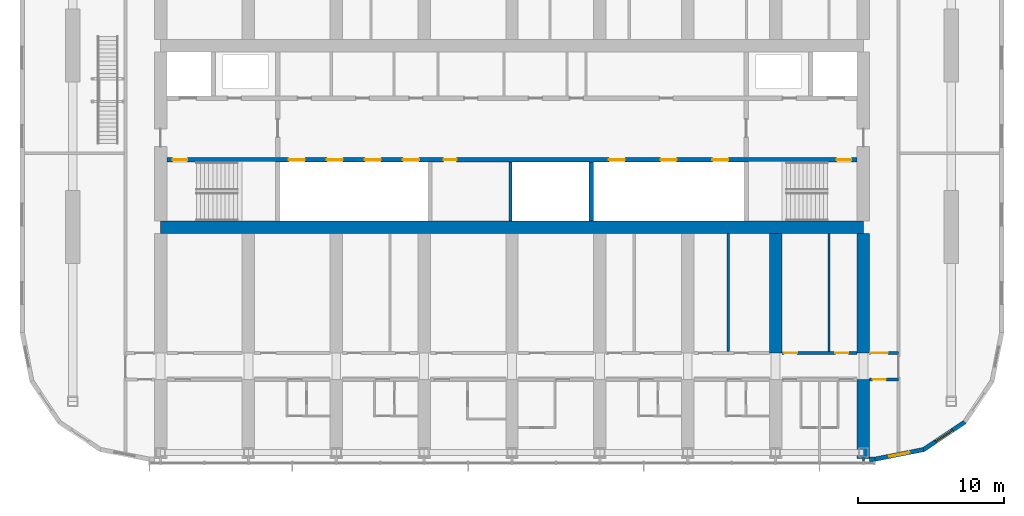
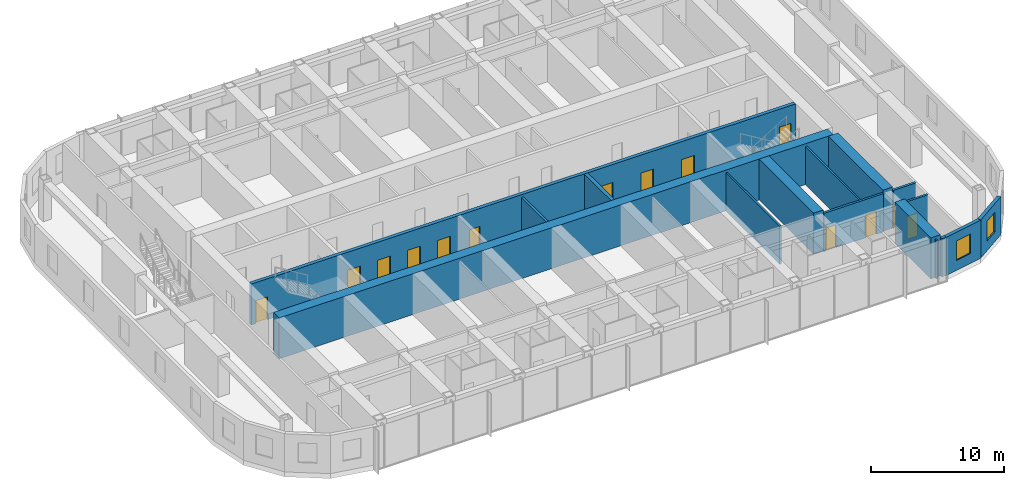
# One storey, part 15 of 27: 16 walls, 14 doors, 2 windows, 16 openings.
"""IFC4 building model written with IfcOpenShell, lengths in metres."""

from ifc_helpers import new_model, si_unit, direction, frame, frame_2d, origin, place, context, subcontext, project, spatial, polyline, rectangle, outline, extrude, material, layer, layer_set, type_object, element, fill, save


model = new_model("IFC4")

# Units and contexts
model_context = context("Model", 3, precision=1e-05, world=origin(), true_north=direction((0.0, 1.0)))
body_context = subcontext(model_context, "Body", "Model", "MODEL_VIEW")
ifc_project = project(units=[si_unit("LENGTHUNIT", "METRE"), si_unit("AREAUNIT", "SQUARE_METRE"), si_unit("VOLUMEUNIT", "CUBIC_METRE"), si_unit("PLANEANGLEUNIT", "RADIAN"), si_unit("MASSUNIT", "GRAM", prefix="KILO")], contexts=[model_context])

# Site, building, storey
site_placement = place(None, origin())
site = spatial("IfcSite", under=ifc_project, at=site_placement, CompositionType="ELEMENT")
building_placement = place(site_placement, origin())
building = spatial("IfcBuilding", under=site, at=building_placement, Name="Orbita Commons", CompositionType="ELEMENT")
storey_placement = place(building_placement, frame((0.0, 0.0, 178.60009765625)))
storey = spatial("IfcBuildingStorey", under=building, at=storey_placement, Name="L44", CompositionType="ELEMENT", Elevation=178.60009765625)

# Wall, openings, doors
ifc_material_1 = material(Name="Concrete C50/60", Category="concrete")
ifc_layer_1 = layer(ifc_material_1, 0.300048828125)
ifc_layer_set_1 = layer_set([ifc_layer_1], Name="Concrete C50/60")
wall_type_1 = type_object("IfcWallType", Name="Core inner wall 300 C50/60", PredefinedType="SHEAR", material=ifc_layer_set_1)
wall_1_placement = place(storey_placement, frame((18.425048828125, 30.39990234375, 0.0), z_axis=(0.0, 0.0, 1.0), x_axis=(1.0, 0.0, 0.0)))
wall_1 = element("IfcWall", 1, at=wall_1_placement, inside=storey, type_object=wall_type_1, Name="Lobby wall south L44", PredefinedType="SHEAR", context=body_context, shape_type="SweptSolid", body=[
    extrude(rectangle(XDim=47.14990234375, YDim=0.300048828125, at=frame_2d((23.574951171875, 0.0))), origin(), (0.0, 0.0, 1.0), 3.75),
])
opening_1_placement = place(wall_1_placement, frame((0.39990234375, 0.0, 0.0)))
opening_1 = element("IfcOpeningElement", 2, at=opening_1_placement, cuts=wall_1, Name="Opening D02", PredefinedType="OPENING", context=body_context, shape_type="SweptSolid", body=[
    extrude(rectangle(XDim=1.0, YDim=2.10009765625, at=frame_2d((0.5, 1.050048828125))), frame((0.0, 0.159912109375, 0.0), z_axis=(0.0, -1.0, 0.0), x_axis=(1.0, 0.0, 0.0)), (0.0, 0.0, 1.0), 0.320068359375),
])
opening_2_placement = place(wall_1_placement, frame((45.75, 0.0, 0.0)))
opening_2 = element("IfcOpeningElement", 3, at=opening_2_placement, cuts=wall_1, Name="Opening D02", PredefinedType="OPENING", context=body_context, shape_type="SweptSolid", body=[
    extrude(rectangle(XDim=1.0, YDim=2.10009765625, at=frame_2d((0.5, 1.050048828125))), frame((0.0, 0.159912109375, 0.0), z_axis=(0.0, -1.0, 0.0), x_axis=(1.0, 0.0, 0.0)), (0.0, 0.0, 1.0), 0.320068359375),
])
opening_3_placement = place(wall_1_placement, frame((8.324951171875, 0.0, 0.0)))
opening_3 = element("IfcOpeningElement", 4, at=opening_3_placement, cuts=wall_1, Name="Opening LD02", PredefinedType="OPENING", context=body_context, shape_type="SweptSolid", body=[
    extrude(rectangle(XDim=1.10009765625, YDim=2.10009765625, at=frame_2d((0.550048828125, 1.050048828125))), frame((0.0, 0.159912109375, 0.0), z_axis=(0.0, -1.0, 0.0), x_axis=(1.0, 0.0, 0.0)), (0.0, 0.0, 1.0), 0.320068359375),
])
opening_4_placement = place(wall_1_placement, frame((10.925048828125, 0.0, 0.0)))
opening_4 = element("IfcOpeningElement", 5, at=opening_4_placement, cuts=wall_1, Name="Opening LD02", PredefinedType="OPENING", context=body_context, shape_type="SweptSolid", body=[
    extrude(rectangle(XDim=1.10009765625, YDim=2.10009765625, at=frame_2d((0.550048828125, 1.050048828125))), frame((0.0, 0.159912109375, 0.0), z_axis=(0.0, -1.0, 0.0), x_axis=(1.0, 0.0, 0.0)), (0.0, 0.0, 1.0), 0.320068359375),
])
opening_5_placement = place(wall_1_placement, frame((13.52490234375, 0.0, 0.0)))
opening_5 = element("IfcOpeningElement", 6, at=opening_5_placement, cuts=wall_1, Name="Opening LD02", PredefinedType="OPENING", context=body_context, shape_type="SweptSolid", body=[
    extrude(rectangle(XDim=1.10009765625, YDim=2.10009765625, at=frame_2d((0.550048828125, 1.050048828125))), frame((0.0, 0.159912109375, 0.0), z_axis=(0.0, -1.0, 0.0), x_axis=(1.0, 0.0, 0.0)), (0.0, 0.0, 1.0), 0.320068359375),
])
opening_6_placement = place(wall_1_placement, frame((16.125, 0.0, 0.0)))
opening_6 = element("IfcOpeningElement", 7, at=opening_6_placement, cuts=wall_1, Name="Opening LD02", PredefinedType="OPENING", context=body_context, shape_type="SweptSolid", body=[
    extrude(rectangle(XDim=1.10009765625, YDim=2.10009765625, at=frame_2d((0.550048828125, 1.050048828125))), frame((0.0, 0.159912109375, 0.0), z_axis=(0.0, -1.0, 0.0), x_axis=(1.0, 0.0, 0.0)), (0.0, 0.0, 1.0), 0.320068359375),
])
opening_7_placement = place(wall_1_placement, frame((18.89990234375, 0.0, 0.0)))
opening_7 = element("IfcOpeningElement", 8, at=opening_7_placement, cuts=wall_1, Name="Opening D05", PredefinedType="OPENING", context=body_context, shape_type="SweptSolid", body=[
    extrude(rectangle(XDim=0.89990234375, YDim=2.10009765625, at=frame_2d((0.449951171875, 1.050048828125))), frame((0.0, 0.159912109375, 0.0), z_axis=(0.0, -1.0, 0.0), x_axis=(1.0, 0.0, 0.0)), (0.0, 0.0, 1.0), 0.320068359375),
])
opening_8_placement = place(wall_1_placement, frame((30.191650390625, 0.0, 0.0)))
opening_8 = element("IfcOpeningElement", 9, at=opening_8_placement, cuts=wall_1, Name="Opening LD02", PredefinedType="OPENING", context=body_context, shape_type="SweptSolid", body=[
    extrude(rectangle(XDim=1.10009765625, YDim=2.10009765625, at=frame_2d((0.550048828125, 1.050048828125))), frame((0.0, 0.159912109375, 0.0), z_axis=(0.0, -1.0, 0.0), x_axis=(1.0, 0.0, 0.0)), (0.0, 0.0, 1.0), 0.320068359375),
])
opening_9_placement = place(wall_1_placement, frame((33.72509765625, 0.0, 0.0)))
opening_9 = element("IfcOpeningElement", 10, at=opening_9_placement, cuts=wall_1, Name="Opening LD02", PredefinedType="OPENING", context=body_context, shape_type="SweptSolid", body=[
    extrude(rectangle(XDim=1.10009765625, YDim=2.10009765625, at=frame_2d((0.550048828125, 1.050048828125))), frame((0.0, 0.159912109375, 0.0), z_axis=(0.0, -1.0, 0.0), x_axis=(1.0, 0.0, 0.0)), (0.0, 0.0, 1.0), 0.320068359375),
])
opening_10_placement = place(wall_1_placement, frame((37.25830078125, 0.0, 0.0)))
opening_10 = element("IfcOpeningElement", 11, at=opening_10_placement, cuts=wall_1, Name="Opening LD02", PredefinedType="OPENING", context=body_context, shape_type="SweptSolid", body=[
    extrude(rectangle(XDim=1.10009765625, YDim=2.10009765625, at=frame_2d((0.550048828125, 1.050048828125))), frame((0.0, 0.159912109375, 0.0), z_axis=(0.0, -1.0, 0.0), x_axis=(1.0, 0.0, 0.0)), (0.0, 0.0, 1.0), 0.320068359375),
])
ifc_material_2 = material(Name="Steel-faced fire door leaf", Category="steel")
door_type_1 = type_object("IfcDoorType", Name="Fire door 90 min 1000x2100", OperationType="SINGLE_SWING_LEFT", PredefinedType="DOOR", material=ifc_material_2)
door_1_placement = place(opening_1_placement, origin())
door_1 = element("IfcDoor", 12, at=door_1_placement, inside=storey, type_object=door_type_1, Name="Stair S1 door", OperationType="SINGLE_SWING_LEFT", OverallHeight=2.10009765625, OverallWidth=1.0, PredefinedType="DOOR", context=body_context, shape_type="SweptSolid", body=[
    extrude(rectangle(XDim=1.0, YDim=2.10009765625, at=frame_2d((0.5, 1.050048828125))), frame((0.0, 0.02490234375, 0.0), z_axis=(0.0, -1.0, 0.0), x_axis=(1.0, 0.0, 0.0)), (0.0, 0.0, 1.0), 0.050048828125),
])
fill(opening_1, door_1)
door_2_placement = place(opening_2_placement, origin())
door_2 = element("IfcDoor", 13, at=door_2_placement, inside=storey, type_object=door_type_1, Name="Stair S2 door", OperationType="SINGLE_SWING_LEFT", OverallHeight=2.10009765625, OverallWidth=1.0, PredefinedType="DOOR", context=body_context, shape_type="SweptSolid", body=[
    extrude(rectangle(XDim=1.0, YDim=2.10009765625, at=frame_2d((0.5, 1.050048828125))), frame((0.0, 0.02490234375, 0.0), z_axis=(0.0, -1.0, 0.0), x_axis=(1.0, 0.0, 0.0)), (0.0, 0.0, 1.0), 0.050048828125),
])
fill(opening_2, door_2)
ifc_material_3 = material(Name="Steel-faced fire door leaf", Category="steel")
door_type_2 = type_object("IfcDoorType", Name="Lift landing door 1100x2100", OperationType="DOUBLE_DOOR_SLIDING", PredefinedType="DOOR", material=ifc_material_3)
door_3_placement = place(opening_3_placement, origin())
door_3 = element("IfcDoor", 14, at=door_3_placement, inside=storey, type_object=door_type_2, Name="Lift P31 landing door", OperationType="DOUBLE_DOOR_SLIDING", OverallHeight=2.10009765625, OverallWidth=1.10009765625, PredefinedType="DOOR", context=body_context, shape_type="SweptSolid", body=[
    extrude(rectangle(XDim=1.10009765625, YDim=2.10009765625, at=frame_2d((0.550048828125, 1.050048828125))), frame((0.0, 0.02490234375, 0.0), z_axis=(0.0, -1.0, 0.0), x_axis=(1.0, 0.0, 0.0)), (0.0, 0.0, 1.0), 0.050048828125),
])
fill(opening_3, door_3)
door_4_placement = place(opening_4_placement, origin())
door_4 = element("IfcDoor", 15, at=door_4_placement, inside=storey, type_object=door_type_2, Name="Lift P32 landing door", OperationType="DOUBLE_DOOR_SLIDING", OverallHeight=2.10009765625, OverallWidth=1.10009765625, PredefinedType="DOOR", context=body_context, shape_type="SweptSolid", body=[
    extrude(rectangle(XDim=1.10009765625, YDim=2.10009765625, at=frame_2d((0.550048828125, 1.050048828125))), frame((0.0, 0.02490234375, 0.0), z_axis=(0.0, -1.0, 0.0), x_axis=(1.0, 0.0, 0.0)), (0.0, 0.0, 1.0), 0.050048828125),
])
fill(opening_4, door_4)
door_5_placement = place(opening_5_placement, origin())
door_5 = element("IfcDoor", 16, at=door_5_placement, inside=storey, type_object=door_type_2, Name="Lift P33 landing door", OperationType="DOUBLE_DOOR_SLIDING", OverallHeight=2.10009765625, OverallWidth=1.10009765625, PredefinedType="DOOR", context=body_context, shape_type="SweptSolid", body=[
    extrude(rectangle(XDim=1.10009765625, YDim=2.10009765625, at=frame_2d((0.550048828125, 1.050048828125))), frame((0.0, 0.02490234375, 0.0), z_axis=(0.0, -1.0, 0.0), x_axis=(1.0, 0.0, 0.0)), (0.0, 0.0, 1.0), 0.050048828125),
])
fill(opening_5, door_5)
door_6_placement = place(opening_6_placement, origin())
door_6 = element("IfcDoor", 17, at=door_6_placement, inside=storey, type_object=door_type_2, Name="Lift P34 landing door", OperationType="DOUBLE_DOOR_SLIDING", OverallHeight=2.10009765625, OverallWidth=1.10009765625, PredefinedType="DOOR", context=body_context, shape_type="SweptSolid", body=[
    extrude(rectangle(XDim=1.10009765625, YDim=2.10009765625, at=frame_2d((0.550048828125, 1.050048828125))), frame((0.0, 0.02490234375, 0.0), z_axis=(0.0, -1.0, 0.0), x_axis=(1.0, 0.0, 0.0)), (0.0, 0.0, 1.0), 0.050048828125),
])
fill(opening_6, door_6)
door_7_placement = place(opening_8_placement, origin())
door_7 = element("IfcDoor", 18, at=door_7_placement, inside=storey, type_object=door_type_2, Name="Lift SV1 landing door", OperationType="DOUBLE_DOOR_SLIDING", OverallHeight=2.10009765625, OverallWidth=1.10009765625, PredefinedType="DOOR", context=body_context, shape_type="SweptSolid", body=[
    extrude(rectangle(XDim=1.10009765625, YDim=2.10009765625, at=frame_2d((0.550048828125, 1.050048828125))), frame((0.0, 0.02490234375, 0.0), z_axis=(0.0, -1.0, 0.0), x_axis=(1.0, 0.0, 0.0)), (0.0, 0.0, 1.0), 0.050048828125),
])
fill(opening_8, door_7)
door_8_placement = place(opening_9_placement, origin())
door_8 = element("IfcDoor", 19, at=door_8_placement, inside=storey, type_object=door_type_2, Name="Lift SV2 landing door", OperationType="DOUBLE_DOOR_SLIDING", OverallHeight=2.10009765625, OverallWidth=1.10009765625, PredefinedType="DOOR", context=body_context, shape_type="SweptSolid", body=[
    extrude(rectangle(XDim=1.10009765625, YDim=2.10009765625, at=frame_2d((0.550048828125, 1.050048828125))), frame((0.0, 0.02490234375, 0.0), z_axis=(0.0, -1.0, 0.0), x_axis=(1.0, 0.0, 0.0)), (0.0, 0.0, 1.0), 0.050048828125),
])
fill(opening_9, door_8)
door_9_placement = place(opening_10_placement, origin())
door_9 = element("IfcDoor", 20, at=door_9_placement, inside=storey, type_object=door_type_2, Name="Lift SV3 landing door", OperationType="DOUBLE_DOOR_SLIDING", OverallHeight=2.10009765625, OverallWidth=1.10009765625, PredefinedType="DOOR", context=body_context, shape_type="SweptSolid", body=[
    extrude(rectangle(XDim=1.10009765625, YDim=2.10009765625, at=frame_2d((0.550048828125, 1.050048828125))), frame((0.0, 0.02490234375, 0.0), z_axis=(0.0, -1.0, 0.0), x_axis=(1.0, 0.0, 0.0)), (0.0, 0.0, 1.0), 0.050048828125),
])
fill(opening_10, door_9)
ifc_material_4 = material(Name="Steel-faced fire door leaf", Category="steel")
door_type_3 = type_object("IfcDoorType", Name="Service door 20 min 900x2100", OperationType="SINGLE_SWING_LEFT", PredefinedType="DOOR", material=ifc_material_4)
door_10_placement = place(opening_7_placement, origin())
door_10 = element("IfcDoor", 21, at=door_10_placement, inside=storey, type_object=door_type_3, Name="Equipment store door", OperationType="SINGLE_SWING_LEFT", OverallHeight=2.10009765625, OverallWidth=0.89990234375, PredefinedType="DOOR", context=body_context, shape_type="SweptSolid", body=[
    extrude(rectangle(XDim=0.89990234375, YDim=2.10009765625, at=frame_2d((0.449951171875, 1.050048828125))), frame((0.0, 0.02490234375, 0.0), z_axis=(0.0, -1.0, 0.0), x_axis=(1.0, 0.0, 0.0)), (0.0, 0.0, 1.0), 0.050048828125),
])
fill(opening_7, door_10)

# Walls
wall_2_placement = place(storey_placement, frame((47.39990234375, 26.22509765625, 0.0), z_axis=(0.0, 0.0, 1.0), x_axis=(0.0, 1.0, 0.0)))
element("IfcWall", 22, at=wall_2_placement, inside=storey, type_object=wall_type_1, Name="Hoistway division wall L44", PredefinedType="SHEAR", context=body_context, shape_type="SweptSolid", body=[
    extrude(rectangle(XDim=4.02490234375, YDim=0.300048828125, at=frame_2d((2.012451171875, 0.0))), origin(), (0.0, 0.0, 1.0), 3.75),
])
ifc_material_5 = material(Name="Concrete C50/60", Category="concrete")
ifc_layer_2 = layer(ifc_material_5, 0.85009765625)
ifc_layer_set_2 = layer_set([ifc_layer_2], Name="Concrete C50/60")
wall_type_2 = type_object("IfcWallType", Name="Core wall 850 C50/60", PredefinedType="SHEAR", material=ifc_layer_set_2)
wall_3_placement = place(storey_placement, frame((18.0, 25.800048828125, 0.0), z_axis=(0.0, 0.0, 1.0), x_axis=(1.0, 0.0, 0.0)))
element("IfcWall", 23, at=wall_3_placement, inside=storey, type_object=wall_type_2, Name="Core spine wall south L44", PredefinedType="SHEAR", context=body_context, shape_type="SweptSolid", body=[
    extrude(rectangle(XDim=48.0, YDim=0.85009765625, at=frame_2d((24.0, 0.0))), origin(), (0.0, 0.0, 1.0), 3.75),
])

# Wall, opening, door
ifc_material_6 = material(Name="Concrete blockwork", Category="masonry")
ifc_layer_3 = layer(ifc_material_6, 0.199951171875)
ifc_layer_set_3 = layer_set([ifc_layer_3], Name="Concrete blockwork")
wall_type_3 = type_object("IfcWallType", Name="Corridor wall 200 blockwork", PredefinedType="SOLIDWALL", material=ifc_layer_set_3)
wall_4_placement = place(storey_placement, frame((66.425048828125, 15.39990234375, 0.0), z_axis=(0.0, 0.0, 1.0), x_axis=(1.0, 0.0, 0.0)))
wall_4 = element("IfcWall", 24, at=wall_4_placement, inside=storey, type_object=wall_type_3, Name="Corridor wall 200 blockwork L44", PredefinedType="SOLIDWALL", context=body_context, shape_type="SweptSolid", body=[
    extrude(rectangle(XDim=1.974853515625, YDim=0.199951171875, at=frame_2d((0.9873046875, 0.0))), origin(), (0.0, 0.0, 1.0), 3.5),
])
opening_11_placement = place(wall_4_placement, frame((0.199951171875, 0.0, 0.0)))
opening_11 = element("IfcOpeningElement", 25, at=opening_11_placement, cuts=wall_4, Name="Opening D05", PredefinedType="OPENING", context=body_context, shape_type="SweptSolid", body=[
    extrude(rectangle(XDim=0.89990234375, YDim=2.10009765625, at=frame_2d((0.449951171875, 1.050048828125))), frame((0.0, 0.10986328125, 0.0), z_axis=(0.0, -1.0, 0.0), x_axis=(1.0, 0.0, 0.0)), (0.0, 0.0, 1.0), 0.219970703125),
])
door_11_placement = place(opening_11_placement, origin())
door_11 = element("IfcDoor", 26, at=door_11_placement, inside=storey, type_object=door_type_3, Name="Linen store L44-KES door", OperationType="SINGLE_SWING_LEFT", OverallHeight=2.10009765625, OverallWidth=0.89990234375, PredefinedType="DOOR", context=body_context, shape_type="SweptSolid", body=[
    extrude(rectangle(XDim=0.89990234375, YDim=2.10009765625, at=frame_2d((0.449951171875, 1.050048828125))), frame((0.0, 0.02490234375, 0.0), z_axis=(0.0, -1.0, 0.0), x_axis=(1.0, 0.0, 0.0)), (0.0, 0.0, 1.0), 0.050048828125),
])
fill(opening_11, door_11)

# Wall, openings, doors
ifc_material_7 = material(Name="Hollow concrete block 200", Category="concrete")
ifc_layer_4 = layer(ifc_material_7, 0.199951171875)
ifc_layer_set_4 = layer_set([ifc_layer_4], Name="Hollow concrete block 200")
wall_type_4 = type_object("IfcWallType", Name="Corridor wall 200 hollow concrete block", PredefinedType="SOLIDWALL", material=ifc_layer_set_4)
wall_5_placement = place(storey_placement, frame((60.425048828125, 17.199951171875, 0.0), z_axis=(0.0, 0.0, 1.0), x_axis=(1.0, 0.0, 0.0)))
wall_5 = element("IfcWall", 27, at=wall_5_placement, inside=storey, type_object=wall_type_4, Name="Corridor wall 200 hollow concrete block L44", PredefinedType="SOLIDWALL", context=body_context, shape_type="SweptSolid", body=[
    extrude(rectangle(XDim=5.14990234375, YDim=0.199951171875, at=frame_2d((2.574951171875, 0.0))), origin(), (0.0, 0.0, 1.0), 3.5),
])
opening_12_placement = place(wall_5_placement, frame((0.14990234375, 0.0, 0.0)))
opening_12 = element("IfcOpeningElement", 28, at=opening_12_placement, cuts=wall_5, Name="Opening D11", PredefinedType="OPENING", context=body_context, shape_type="SweptSolid", body=[
    extrude(rectangle(XDim=0.89990234375, YDim=2.10009765625, at=frame_2d((0.449951171875, 1.050048828125))), frame((0.0, 0.10986328125, 0.0), z_axis=(0.0, -1.0, 0.0), x_axis=(1.0, 0.0, 0.0)), (0.0, 0.0, 1.0), 0.219970703125),
])
opening_13_placement = place(wall_5_placement, frame((3.655029296875, 0.0, 0.0)))
opening_13 = element("IfcOpeningElement", 29, at=opening_13_placement, cuts=wall_5, Name="Opening D11", PredefinedType="OPENING", context=body_context, shape_type="SweptSolid", body=[
    extrude(rectangle(XDim=0.89990234375, YDim=2.10009765625, at=frame_2d((0.449951171875, 1.050048828125))), frame((0.0, 0.10986328125, 0.0), z_axis=(0.0, -1.0, 0.0), x_axis=(1.0, 0.0, 0.0)), (0.0, 0.0, 1.0), 0.219970703125),
])
ifc_material_8 = material(Name="Steel-faced fire door leaf", Category="steel")
door_type_4 = type_object("IfcDoorType", Name="Corridor door 20 min 900x2100", OperationType="SINGLE_SWING_LEFT", PredefinedType="DOOR", material=ifc_material_8)
door_12_placement = place(opening_12_placement, origin())
door_12 = element("IfcDoor", 30, at=door_12_placement, inside=storey, type_object=door_type_4, Name="Ventilation plant room south L44-BDS60 door", OperationType="SINGLE_SWING_LEFT", OverallHeight=2.10009765625, OverallWidth=0.89990234375, PredefinedType="DOOR", context=body_context, shape_type="SweptSolid", body=[
    extrude(rectangle(XDim=0.89990234375, YDim=2.10009765625, at=frame_2d((0.449951171875, 1.050048828125))), frame((0.0, 0.02490234375, 0.0), z_axis=(0.0, -1.0, 0.0), x_axis=(1.0, 0.0, 0.0)), (0.0, 0.0, 1.0), 0.050048828125),
])
fill(opening_12, door_12)
door_13_placement = place(opening_13_placement, origin())
door_13 = element("IfcDoor", 31, at=door_13_placement, inside=storey, type_object=door_type_4, Name="Sprinkler valve room L44-BDS60n door", OperationType="SINGLE_SWING_LEFT", OverallHeight=2.10009765625, OverallWidth=0.89990234375, PredefinedType="DOOR", context=body_context, shape_type="SweptSolid", body=[
    extrude(rectangle(XDim=0.89990234375, YDim=2.10009765625, at=frame_2d((0.449951171875, 1.050048828125))), frame((0.0, 0.02490234375, 0.0), z_axis=(0.0, -1.0, 0.0), x_axis=(1.0, 0.0, 0.0)), (0.0, 0.0, 1.0), 0.050048828125),
])
fill(opening_13, door_13)

# Wall, opening, door
wall_6_placement = place(storey_placement, frame((66.425048828125, 17.199951171875, 0.0), z_axis=(0.0, 0.0, 1.0), x_axis=(1.0, 0.0, 0.0)))
wall_6 = element("IfcWall", 32, at=wall_6_placement, inside=storey, type_object=wall_type_4, Name="Corridor wall 200 hollow concrete block L44", PredefinedType="SOLIDWALL", context=body_context, shape_type="SweptSolid", body=[
    extrude(rectangle(XDim=1.974853515625, YDim=0.199951171875, at=frame_2d((0.9873046875, 0.0))), origin(), (0.0, 0.0, 1.0), 3.5),
])
opening_14_placement = place(wall_6_placement, frame((0.050048828125, 0.0, 0.0)))
opening_14 = element("IfcOpeningElement", 33, at=opening_14_placement, cuts=wall_6, Name="Opening D12", PredefinedType="OPENING", context=body_context, shape_type="SweptSolid", body=[
    extrude(rectangle(XDim=1.199951171875, YDim=2.10009765625, at=frame_2d((0.60009765625, 1.050048828125))), frame((0.0, 0.10986328125, 0.0), z_axis=(0.0, -1.0, 0.0), x_axis=(1.0, 0.0, 0.0)), (0.0, 0.0, 1.0), 0.219970703125),
])
ifc_material_9 = material(Name="Steel-faced fire door leaf", Category="steel")
door_type_5 = type_object("IfcDoorType", Name="Double corridor door 20 min 1200x2100", OperationType="DOUBLE_DOOR_SINGLE_SWING", PredefinedType="DOOR", material=ifc_material_9)
door_14_placement = place(opening_14_placement, origin())
door_14 = element("IfcDoor", 34, at=door_14_placement, inside=storey, type_object=door_type_5, Name="Cross corridor doors", OperationType="DOUBLE_DOOR_SINGLE_SWING", OverallHeight=2.10009765625, OverallWidth=1.199951171875, PredefinedType="DOOR", context=body_context, shape_type="SweptSolid", body=[
    extrude(rectangle(XDim=1.199951171875, YDim=2.10009765625, at=frame_2d((0.60009765625, 1.050048828125))), frame((0.0, 0.02490234375, 0.0), z_axis=(0.0, -1.0, 0.0), x_axis=(1.0, 0.0, 0.0)), (0.0, 0.0, 1.0), 0.050048828125),
])
fill(opening_14, door_14)

# Walls
ifc_material_10 = material(Name="Concrete C50/60", Category="concrete")
ifc_layer_5 = layer(ifc_material_10, 0.85009765625)
ifc_layer_set_5 = layer_set([ifc_layer_5], Name="Concrete C50/60")
wall_type_5 = type_object("IfcWallType", Name="Cross wall 850 C50/60", PredefinedType="SHEAR", material=ifc_layer_set_5)
wall_7_placement = place(storey_placement, frame((60.0, 17.199951171875, 0.0), z_axis=(0.0, 0.0, 1.0), x_axis=(0.0, 1.0, 0.0)))
element("IfcWall", 35, at=wall_7_placement, inside=storey, type_object=wall_type_5, Name="Cross wall 11 south inner L44", PredefinedType="SHEAR", context=body_context, shape_type="SweptSolid", body=[
    extrude(rectangle(XDim=8.175048828125, YDim=0.85009765625, at=frame_2d((4.08740234375, 0.0))), origin(), (0.0, 0.0, 1.0), 3.75),
])
wall_8_placement = place(storey_placement, frame((66.0, 10.0, 0.0), z_axis=(0.0, 0.0, 1.0), x_axis=(0.0, 1.0, 0.0)))
element("IfcWall", 36, at=wall_8_placement, inside=storey, type_object=wall_type_5, Name="Cross wall 12 south outer L44", PredefinedType="SHEAR", context=body_context, shape_type="SweptSolid", body=[
    extrude(rectangle(XDim=5.39990234375, YDim=0.85009765625, at=frame_2d((2.699951171875, 0.0))), origin(), (0.0, 0.0, 1.0), 3.75),
])
wall_9_placement = place(storey_placement, frame((66.0, 17.199951171875, 0.0), z_axis=(0.0, 0.0, 1.0), x_axis=(0.0, 1.0, 0.0)))
element("IfcWall", 37, at=wall_9_placement, inside=storey, type_object=wall_type_5, Name="Cross wall 12 south inner L44", PredefinedType="SHEAR", context=body_context, shape_type="SweptSolid", body=[
    extrude(rectangle(XDim=8.175048828125, YDim=0.85009765625, at=frame_2d((4.08740234375, 0.0))), origin(), (0.0, 0.0, 1.0), 3.75),
])
ifc_material_11 = material(Name="Gypsum plasterboard on steel studs", Category="steel")
ifc_layer_6 = layer(ifc_material_11, 0.14990234375)
ifc_layer_set_6 = layer_set([ifc_layer_6], Name="Gypsum plasterboard on steel studs")
wall_type_6 = type_object("IfcWallType", Name="Partition 150 plasterboard", PredefinedType="PARTITIONING", material=ifc_layer_set_6)
for number, where, z_axis, x_axis, name in (
    (38, (56.77490234375, 17.300048828125, 0.0), (0.0, 0.0, 1.0), (0.0, 1.0, 0.0), "Partition 150 plasterboard L44"),
    (39, (63.655029296875, 17.300048828125, 0.0), (0.0, 0.0, 1.0), (0.0, 1.0, 0.0), "Partition 150 plasterboard L44"),
):
    element("IfcWall", number, at=place(storey_placement, frame(where, z_axis=z_axis, x_axis=x_axis)), inside=storey, type_object=wall_type_6, Name=name, PredefinedType="PARTITIONING", context=body_context, shape_type="SweptSolid", body=[
        extrude(rectangle(XDim=8.074951171875, YDim=0.14990234375, at=frame_2d((4.03759765625, 0.0))), origin(), (0.0, 0.0, 1.0), 3.5),
    ])
wall_10_placement = place(storey_placement, frame((66.0, 10.050048828125, 0.0), z_axis=(0.0, 0.0, 1.0), x_axis=(0.0, -1.0, 0.0)))
element("IfcWall", 40, at=wall_10_placement, inside=storey, type_object=wall_type_6, Name="Partition 150 plasterboard L44", PredefinedType="PARTITIONING", context=body_context, shape_type="SweptSolid", body=[
    extrude(rectangle(XDim=0.239990234375, YDim=0.14990234375, at=frame_2d((0.1201171875, 0.0))), origin(), (0.0, 0.0, 1.0), 3.5),
])

# Wall, opening, window
ifc_material_12 = material(Name="Precast concrete C40/50, white board-marked finish", Category="concrete")
ifc_layer_7 = layer(ifc_material_12, 0.300048828125)
ifc_layer_set_7 = layer_set([ifc_layer_7], Name="Precast concrete C40/50, white board-marked finish")
wall_type_7 = type_object("IfcWallType", Name="Precast concrete end shield 300", PredefinedType="SOLIDWALL", material=ifc_layer_set_7)
wall_11_placement = place(storey_placement, frame((66.800048828125, 9.949951171875, 0.0), z_axis=(0.0, 0.0, 1.0), x_axis=(0.98078325777, 0.195100490205, 0.0)))
wall_11 = element("IfcWall", 41, at=wall_11_placement, inside=storey, type_object=wall_type_7, Name="End shield SE chord 1 L44", PredefinedType="SOLIDWALL", context=body_context, shape_type="SweptSolid", body=[
    extrude(outline(polyline([(-0.02978515625, -0.14990234375), (3.40478515625, -0.14990234375), (3.34521484375, 0.14990234375), (0.02978515625, 0.14990234375), (-0.02978515625, -0.14990234375)])), origin(), (0.0, 0.0, 1.0), 3.5),
])
opening_15_placement = place(wall_11_placement, frame((0.987548828125, 0.0, 0.89990234375)))
opening_15 = element("IfcOpeningElement", 42, at=opening_15_placement, cuts=wall_11, Name="Opening W02", PredefinedType="OPENING", context=body_context, shape_type="SweptSolid", body=[
    extrude(rectangle(XDim=1.39990234375, YDim=1.800048828125, at=frame_2d((0.699951171875, 0.89990234375))), frame((0.0, 0.159912109375, 0.0), z_axis=(0.0, -1.0, 0.0), x_axis=(1.0, 0.0, 0.0)), (0.0, 0.0, 1.0), 0.320068359375),
])
ifc_material_13 = material(Name="Aluminium frame, clear double glazing", Category="aluminium")
window_type = type_object("IfcWindowType", Name="Deep-set window 1400x1800", PartitioningType="SINGLE_PANEL", PredefinedType="WINDOW", material=ifc_material_13)
window_1_placement = place(opening_15_placement, origin())
window_1 = element("IfcWindow", 43, at=window_1_placement, inside=storey, type_object=window_type, Name="Window L44-SE0", OverallHeight=1.800048828125, OverallWidth=1.39990234375, PartitioningType="SINGLE_PANEL", PredefinedType="WINDOW", context=body_context, shape_type="SweptSolid", body=[
    extrude(rectangle(XDim=1.39990234375, YDim=1.800048828125, at=frame_2d((0.699951171875, 0.89990234375))), frame((0.0, 0.030029296875, 0.0), z_axis=(0.0, -1.0, 0.0), x_axis=(1.0, 0.0, 0.0)), (0.0, 0.0, 1.0), 0.06005859375),
])
fill(opening_15, window_1)

wall_12_placement = place(storey_placement, frame((70.110107421875, 10.6083984375, 0.0), z_axis=(0.0, 0.0, 1.0), x_axis=(0.831493450887, 0.555534554399, 0.0)))
wall_12 = element("IfcWall", 44, at=wall_12_placement, inside=storey, type_object=wall_type_7, Name="End shield SE chord 2 L44", PredefinedType="SOLIDWALL", context=body_context, shape_type="SweptSolid", body=[
    extrude(outline(polyline([(-0.02978515625, -0.14990234375), (3.405029296875, -0.14990234375), (3.345458984375, 0.14990234375), (0.02978515625, 0.14990234375), (-0.02978515625, -0.14990234375)])), origin(), (0.0, 0.0, 1.0), 3.5),
])
opening_16_placement = place(wall_12_placement, frame((0.987548828125, 0.0, 0.89990234375)))
opening_16 = element("IfcOpeningElement", 45, at=opening_16_placement, cuts=wall_12, Name="Opening W02", PredefinedType="OPENING", context=body_context, shape_type="SweptSolid", body=[
    extrude(rectangle(XDim=1.39990234375, YDim=1.800048828125, at=frame_2d((0.699951171875, 0.89990234375))), frame((0.0, 0.159912109375, 0.0), z_axis=(0.0, -1.0, 0.0), x_axis=(1.0, 0.0, 0.0)), (0.0, 0.0, 1.0), 0.320068359375),
])
window_2_placement = place(opening_16_placement, origin())
window_2 = element("IfcWindow", 46, at=window_2_placement, inside=storey, type_object=window_type, Name="Window L44-SE1", OverallHeight=1.800048828125, OverallWidth=1.39990234375, PartitioningType="SINGLE_PANEL", PredefinedType="WINDOW", context=body_context, shape_type="SweptSolid", body=[
    extrude(rectangle(XDim=1.39990234375, YDim=1.800048828125, at=frame_2d((0.699951171875, 0.89990234375))), frame((0.0, 0.030029296875, 0.0), z_axis=(0.0, -1.0, 0.0), x_axis=(1.0, 0.0, 0.0)), (0.0, 0.0, 1.0), 0.06005859375),
])
fill(opening_16, window_2)

# Walls
wall_13_placement = place(storey_placement, frame((66.800048828125, 9.949951171875, 0.0), z_axis=(0.0, 0.0, 1.0), x_axis=(-1.0, 0.0, 0.0)))
element("IfcWall", 47, at=wall_13_placement, inside=storey, type_object=wall_type_7, Name="End shield SE closer L44", PredefinedType="SOLIDWALL", context=body_context, shape_type="SweptSolid", body=[
    extrude(rectangle(XDim=0.375, YDim=0.300048828125, at=frame_2d((0.1875, 0.0))), origin(), (0.0, 0.0, 1.0), 3.5),
])
ifc_material_14 = material(Name="Concrete blockwork, fully filled", Category="masonry")
ifc_layer_8 = layer(ifc_material_14, 0.199951171875)
ifc_layer_set_8 = layer_set([ifc_layer_8], Name="Concrete blockwork, fully filled")
wall_type_8 = type_object("IfcWallType", Name="Shaft partition 200 blockwork", PredefinedType="SOLIDWALL", material=ifc_layer_set_8)
wall_14_placement = place(storey_placement, frame((41.89990234375, 26.22509765625, 0.0), z_axis=(0.0, 0.0, 1.0), x_axis=(0.0, 1.0, 0.0)))
element("IfcWall", 48, at=wall_14_placement, inside=storey, type_object=wall_type_8, Name="Shaft partition 200 blockwork L44", PredefinedType="SOLIDWALL", context=body_context, shape_type="SweptSolid", body=[
    extrude(rectangle(XDim=4.02490234375, YDim=0.199951171875, at=frame_2d((2.012451171875, 0.0))), origin(), (0.0, 0.0, 1.0), 3.5),
])

save(model, "model.ifc")
